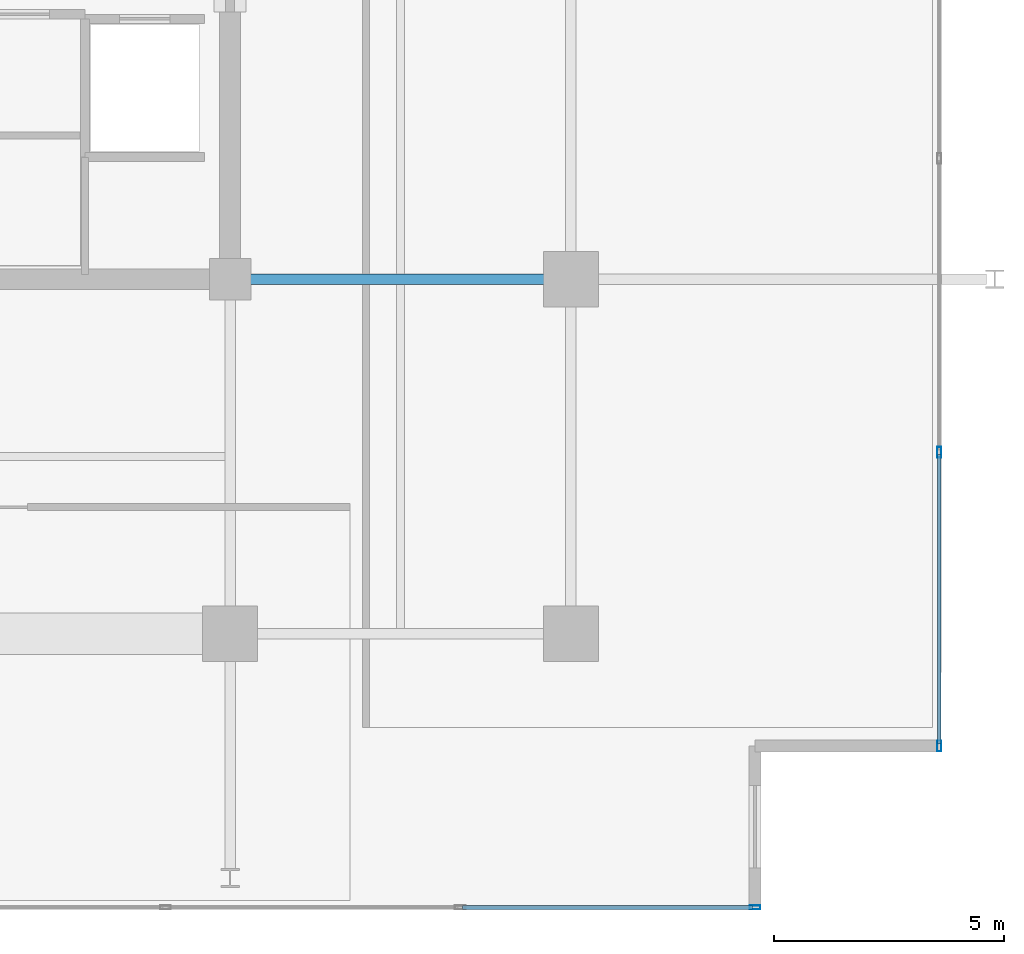
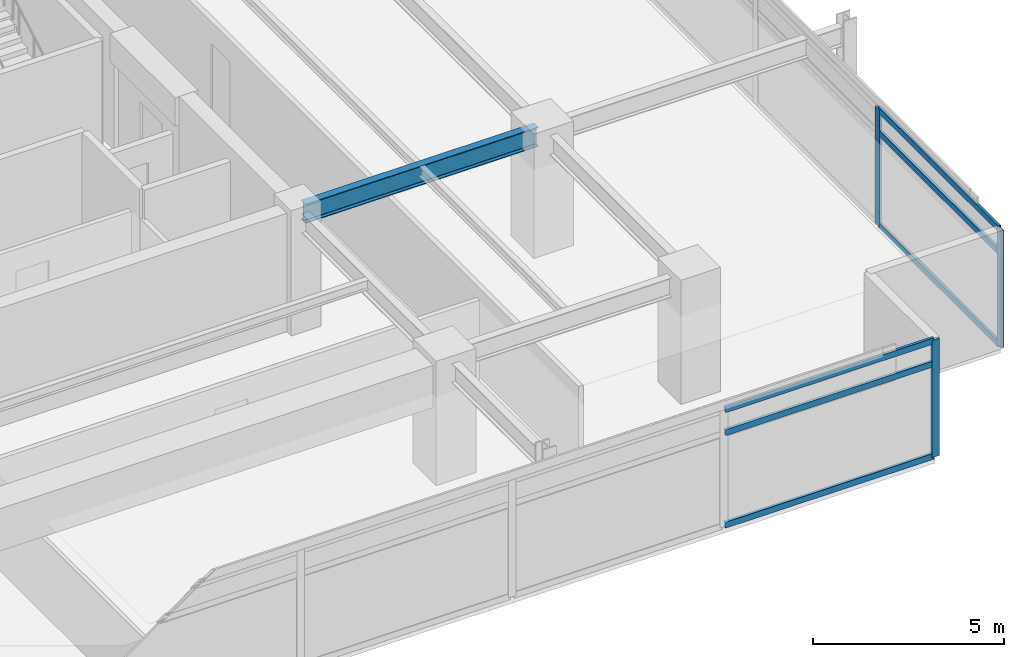
# One storey, part 7 of 18: 9 members, 1 beam, 2 elements without a shape of their own.
"""IFC4 building model written with IfcOpenShell, lengths in metres."""

import ifcopenshell
import ifcopenshell.guid

model = None  # the IFC model being written
_history = None  # IfcOwnerHistory: only IFC2X3 demands one
_inside = {}  # id of a spatial element -> (the spatial element, [elements in it])
_under = {}  # id of a project, library or spatial element -> (it, [spatial elements below it])
_declared = {}  # id of a project -> (the project, [libraries it declares])
_typed = {}  # id of a type object -> (the type object, [elements of that type])
_made_of = {}  # id of a material, layer set ... -> (it, [elements and type objects made of it])


def new_model(schema):
    """Start an empty IFC model of exactly this schema.

    Asked for "IFC4X3", IfcOpenShell would pick the latest addendum, in which some entities
    have other attributes; the version numbers below select the first issue.
    IFC2X3 requires an IfcOwnerHistory on every rooted entity: one is made here for all.
    """
    global model, _history
    if schema == "IFC4X3":
        model = ifcopenshell.file(schema_version=(4, 3, 0, 0))
    else:
        model = ifcopenshell.file(schema=schema)
    _inside.clear()
    _under.clear()
    _declared.clear()
    _typed.clear()
    _made_of.clear()
    _history = None
    if model.schema == "IFC2X3":
        org = make("IfcOrganization", Name="unknown")
        user = make(
            "IfcPersonAndOrganization",
            ThePerson=make("IfcPerson", FamilyName="unknown"),
            TheOrganization=org,
        )
        app = make(
            "IfcApplication",
            ApplicationDeveloper=org,
            Version="unknown",
            ApplicationFullName="unknown",
            ApplicationIdentifier="unknown",
        )
        _history = make(
            "IfcOwnerHistory",
            OwningUser=user,
            OwningApplication=app,
            ChangeAction="ADDED",
            CreationDate=0,
        )
    return model


def make(cls, **values):
    """One entity of the class cls with the attributes given. An attribute that is None is left unset."""
    return model.create_entity(
        cls, **{name: value for name, value in values.items() if value is not None}
    )


def rooted(cls, **values):
    """An entity with a GlobalId (a new one), such as an element, a storey or a relation."""
    return make(cls, GlobalId=ifcopenshell.guid.new(), OwnerHistory=_history, **values)


def si_unit(unit_type, name, prefix=None):
    """IfcSIUnit, for example si_unit("LENGTHUNIT", "METRE", prefix="MILLI")."""
    return make("IfcSIUnit", UnitType=unit_type, Prefix=prefix, Name=name)


def assignment(units):
    """IfcUnitAssignment: the units of a project."""
    return None if units is None else make("IfcUnitAssignment", Units=units)


def point(xyz):
    """IfcCartesianPoint."""
    return None if xyz is None else make("IfcCartesianPoint", Coordinates=xyz)


def direction(xyz):
    """IfcDirection."""
    return None if xyz is None else make("IfcDirection", DirectionRatios=xyz)


def frame(location, z_axis=None, x_axis=None):
    """IfcAxis2Placement3D, a coordinate frame: its origin and axes. An axis left out is left unset."""
    return make(
        "IfcAxis2Placement3D",
        Location=point(location),
        Axis=direction(z_axis),
        RefDirection=direction(x_axis),
    )


def frame_2d(location, x_axis=None):
    """IfcAxis2Placement2D, a coordinate frame in the plane: its origin and x axis."""
    return make(
        "IfcAxis2Placement2D", Location=point(location), RefDirection=direction(x_axis)
    )


def origin():
    """The frame at (0, 0, 0) with its axes left unset."""
    return frame((0.0, 0.0, 0.0))


def origin_2d():
    """The frame at (0, 0) in the plane with its x axis left unset."""
    return frame_2d((0.0, 0.0))


def place(relative_to, where):
    """IfcLocalPlacement: puts the frame where relative to a parent placement (None: the world)."""
    return make(
        "IfcLocalPlacement", PlacementRelTo=relative_to, RelativePlacement=where
    )


def context(
    kind, dimensions, precision=None, world=None, true_north=None, identifier=None
):
    """IfcGeometricRepresentationContext, for example the 3D "Model" context."""
    return make(
        "IfcGeometricRepresentationContext",
        ContextIdentifier=identifier,
        ContextType=kind,
        CoordinateSpaceDimension=dimensions,
        Precision=precision,
        WorldCoordinateSystem=world,
        TrueNorth=true_north,
    )


def subcontext(parent, identifier, kind, view, scale=None):
    """IfcGeometricRepresentationSubContext, for example "Body" below "Model"."""
    return make(
        "IfcGeometricRepresentationSubContext",
        ContextIdentifier=identifier,
        ContextType=kind,
        ParentContext=parent,
        TargetScale=scale,
        TargetView=view,
    )


def project(units=None, contexts=None):
    """IfcProject with its units and contexts."""
    return rooted(
        "IfcProject",
        Name="project",
        RepresentationContexts=contexts,
        UnitsInContext=assignment(units),
    )


def spatial(cls, under=None, at=None, **own):
    """A site, building, storey or space (cls), placed at a placement, below another one or the project."""
    s = rooted(cls, ObjectPlacement=at, **own)
    if under is not None:
        _under.setdefault(under.id(), (under, []))[1].append(s)
    return s


def profile(cls, at=None, kind="AREA", **sizes):
    """A parametric profile (cls). Its sizes go by their IFC names, for example OverallWidth=200.0."""
    return make(cls, ProfileType=kind, Position=at, **sizes)


def hollow_rectangle(**sizes):
    """IfcRectangleHollowProfileDef."""
    return profile("IfcRectangleHollowProfileDef", **sizes)


def i_section(**sizes):
    """IfcIShapeProfileDef."""
    return profile("IfcIShapeProfileDef", **sizes)


def extrude(swept, where, along, depth):
    """IfcExtrudedAreaSolid: the profile swept, set in the frame where, extruded along a direction by depth."""
    return make(
        "IfcExtrudedAreaSolid",
        SweptArea=swept,
        Position=where,
        ExtrudedDirection=direction(along),
        Depth=depth,
    )


def shape(context_of_items, identifier, shape_type, items):
    """IfcShapeRepresentation: the items that make up one representation, for example the "Body"."""
    return make(
        "IfcShapeRepresentation",
        ContextOfItems=context_of_items,
        RepresentationIdentifier=identifier,
        RepresentationType=shape_type,
        Items=items,
    )


def material(Name=None, Category=None):
    """IfcMaterial."""
    return make("IfcMaterial", Name=Name, Category=Category)


def material_profile(
    of_material, cross_section, Name=None, Category=None, Priority=None
):
    """IfcMaterialProfile: a cross section and its material."""
    return make(
        "IfcMaterialProfile",
        Name=Name,
        Material=of_material,
        Profile=cross_section,
        Priority=Priority,
        Category=Category,
    )


def profile_set(profiles, Name=None, composite=None):
    """IfcMaterialProfileSet."""
    return make(
        "IfcMaterialProfileSet",
        Name=Name,
        MaterialProfiles=profiles,
        CompositeProfile=composite,
    )


def made_of(thing, what):
    """Note that an element or type object is made of a material, layer set ...; save() writes the relation."""
    if what is not None:
        _made_of.setdefault(what.id(), (what, []))[1].append(thing)
    return thing


def type_object(cls, material=None, **own):
    """A type object (cls), such as IfcWallType, which elements share."""
    return made_of(rooted(cls, **own), material)


def element(
    cls,
    number,
    at=None,
    inside=None,
    cuts=None,
    type_object=None,
    material=None,
    context=None,
    identifier="Body",
    shape_type=None,
    held_by="IfcProductDefinitionShape",
    body=None,
    shapes=None,
    **own,
):
    """One element of the class cls, such as IfcWall. Its Tag is "e" and its number.

    at: its placement. inside: the storey or other place that contains it. cuts: it is an
    opening in that element (IfcRelVoidsElement). A single representation is given by context,
    identifier, shape_type and body (its items); several are given by shapes. held_by: the class
    of the entity that holds the representations. save() writes the other relations.
    """
    e = rooted(cls, Tag="e%d" % number, ObjectPlacement=at, **own)
    if body is not None:
        shapes = [shape(context, identifier, shape_type, body)]
    if shapes is not None:
        e.Representation = make(held_by, Representations=shapes)
    if inside is not None:
        _inside.setdefault(inside.id(), (inside, []))[1].append(e)
    if cuts is not None:
        rooted(
            "IfcRelVoidsElement", RelatingBuildingElement=cuts, RelatedOpeningElement=e
        )
    if type_object is not None:
        _typed.setdefault(type_object.id(), (type_object, []))[1].append(e)
    return made_of(e, material)


def aggregate(whole, parts):
    """IfcRelAggregates: a whole, such as a stair, and the parts it consists of."""
    return rooted("IfcRelAggregates", RelatingObject=whole, RelatedObjects=parts)


def save(model, path):
    """Write the relations noted so far, then the file.

    IfcRelAggregates (storeys below a building ...), IfcRelContainedInSpatialStructure (elements
    in a storey), IfcRelDefinesByType, IfcRelAssociatesMaterial and IfcRelDeclares: one each for
    every whole, place, type object, material and project.
    """
    for whole, parts in _under.values():
        aggregate(whole, parts)
    for where, things in _inside.values():
        rooted(
            "IfcRelContainedInSpatialStructure",
            RelatedElements=things,
            RelatingStructure=where,
        )
    for kind, things in _typed.values():
        rooted("IfcRelDefinesByType", RelatedObjects=things, RelatingType=kind)
    for what, things in _made_of.values():
        rooted("IfcRelAssociatesMaterial", RelatedObjects=things, RelatingMaterial=what)
    for by, libraries in _declared.values():
        rooted("IfcRelDeclares", RelatingContext=by, RelatedDefinitions=libraries)
    model.write(path)


model = new_model("IFC4")

# Units and contexts
model_context = context("Model", 3, precision=1e-05, world=origin(), true_north=direction((0.0, 1.0)))
body_context = subcontext(model_context, "Body", "Model", "MODEL_VIEW")
ifc_project = project(units=[si_unit("LENGTHUNIT", "METRE"), si_unit("AREAUNIT", "SQUARE_METRE"), si_unit("VOLUMEUNIT", "CUBIC_METRE"), si_unit("PLANEANGLEUNIT", "RADIAN"), si_unit("MASSUNIT", "GRAM", prefix="KILO")], contexts=[model_context])

# Site, building, storey
site_placement = place(None, origin())
site = spatial("IfcSite", under=ifc_project, at=site_placement, CompositionType="ELEMENT")
building_placement = place(site_placement, origin())
building = spatial("IfcBuilding", under=site, at=building_placement, Name="Kovane Verandah Tower", CompositionType="ELEMENT")
storey_placement = place(building_placement, frame((0.0, 0.0, 251.199951171875)))
storey = spatial("IfcBuildingStorey", under=building, at=storey_placement, Name="L58", CompositionType="ELEMENT", Elevation=251.199951171875)

# Beam
ifc_material_1 = material(Name="Steel S355", Category="steel")
ifc_material_profile_1 = material_profile(ifc_material_1, i_section(OverallWidth=0.230224609375, OverallDepth=0.6171875, WebThickness=0.01318359375, FlangeThickness=0.022216796875, FilletRadius=0.0126953125, at=origin_2d()), Name="UB610x229x140")
ifc_profile_set_1 = profile_set([ifc_material_profile_1], Name="Steel S355")
beam_type = type_object("IfcBeamType", Name="BM-UB610x140", PredefinedType="BEAM", material=ifc_profile_set_1)
beam_placement = place(storey_placement, frame((51.179931640625, 18.5, 3.4765625), z_axis=(1.0, 0.0, 0.0), x_axis=(0.0, 1.0, 0.0)))
element("IfcBeam", 1, at=beam_placement, inside=storey, type_object=beam_type, Name="L58 Primary Tower Girder G-E1", PredefinedType="BEAM", context=body_context, shape_type="SweptSolid", body=[
    extrude(i_section(OverallWidth=0.230224609375, OverallDepth=0.6171875, WebThickness=0.01318359375, FlangeThickness=0.022216796875, FilletRadius=0.0126953125, at=origin_2d()), origin(), (0.0, 0.0, 1.0), 7.0400390625),
])

# Curtain wall, member
ifc_material_2 = material(Name="Champagne Anodised Aluminium Frame with Low-E Clear Laminated Glass", Category="aluminium")
curtain_wall_type = type_object("IfcCurtainWallType", Name="CW-SYS-05-HIGH", PredefinedType="NOTDEFINED", material=ifc_material_2)
curtain_wall_1_placement = place(storey_placement, origin())
curtain_wall_1 = element("IfcCurtainWall", 2, at=curtain_wall_1_placement, inside=storey, type_object=curtain_wall_type, Name="L58 S Unitised Curtain Wall", PredefinedType="NOTDEFINED")
ifc_material_3 = material(Name="Champagne Anodised Aluminium 6063-T6", Category="aluminium")
ifc_material_profile_2 = material_profile(ifc_material_3, hollow_rectangle(XDim=0.0849609375, YDim=0.22998046875, WallThickness=0.00390625, at=origin_2d()), Name="AL85x230x4")
ifc_profile_set_2 = profile_set([ifc_material_profile_2], Name="Champagne Anodised Aluminium 6063-T6")
member_type_1 = type_object("IfcMemberType", Name="CW-MUL-85x230", PredefinedType="MULLION", material=ifc_profile_set_2)
member_1_placement = place(storey_placement, frame((62.396240234375, 4.8623046875, 0.02001953125), z_axis=(0.0, 0.0, 1.0), x_axis=(0.0, -1.0, 0.0)))
member_1 = element("IfcMember", 3, at=member_1_placement, type_object=member_type_1, Name="L58 S Unitised Curtain Wall Mullion 8", PredefinedType="MULLION", context=body_context, shape_type="SweptSolid", body=[
    extrude(hollow_rectangle(XDim=0.0849609375, YDim=0.22998046875, WallThickness=0.00390625, at=origin_2d()), origin(), (0.0, 0.0, 1.0), 3.7451171875),
])

# Curtain wall, members
curtain_wall_2_placement = place(storey_placement, origin())
curtain_wall_2 = element("IfcCurtainWall", 4, at=curtain_wall_2_placement, inside=storey, type_object=curtain_wall_type, Name="L58 E Unitised Curtain Wall", PredefinedType="NOTDEFINED")
member_2_placement = place(storey_placement, frame((66.396240234375, 8.3623046875, 0.02001953125), z_axis=(0.0, 0.0, 1.0), x_axis=(1.0, 0.0, 0.0)))
member_2 = element("IfcMember", 5, at=member_2_placement, type_object=member_type_1, Name="L58 E Unitised Curtain Wall Mullion 1", PredefinedType="MULLION", context=body_context, shape_type="SweptSolid", body=[
    extrude(hollow_rectangle(XDim=0.0849609375, YDim=0.22998046875, WallThickness=0.00390625, at=origin_2d()), origin(), (0.0, 0.0, 1.0), 3.7451171875),
])
member_3_placement = place(storey_placement, frame((66.396240234375, 14.74169921875, 0.02001953125), z_axis=(0.0, 0.0, 1.0), x_axis=(1.0, 0.0, 0.0)))
member_3 = element("IfcMember", 6, at=member_3_placement, type_object=member_type_1, Name="L58 E Unitised Curtain Wall Mullion 2", PredefinedType="MULLION", context=body_context, shape_type="SweptSolid", body=[
    extrude(hollow_rectangle(XDim=0.0849609375, YDim=0.22998046875, WallThickness=0.00390625, at=origin_2d()), origin(), (0.0, 0.0, 1.0), 3.7451171875),
])

# Member
ifc_material_profile_3 = material_profile(ifc_material_3, hollow_rectangle(XDim=0.0849609375, YDim=0.18994140625, WallThickness=0.00390625, at=origin_2d()), Name="AL85x190x4")
ifc_profile_set_3 = profile_set([ifc_material_profile_3], Name="Champagne Anodised Aluminium 6063-T6")
member_type_2 = type_object("IfcMemberType", Name="CW-TRN-85x190", PredefinedType="USERDEFINED", material=ifc_profile_set_3)
member_4_placement = place(storey_placement, frame((56.04736328125, 4.8623046875, 0.050048828125), z_axis=(1.0, 0.0, 0.0), x_axis=(0.0, 1.0, 0.0)))
member_4 = element("IfcMember", 7, at=member_4_placement, type_object=member_type_2, Name="L58 S Unitised Curtain Wall Transom TB Bay 7", ObjectType="TRANSOM", PredefinedType="USERDEFINED", context=body_context, shape_type="SweptSolid", body=[
    extrude(hollow_rectangle(XDim=0.0849609375, YDim=0.18994140625, WallThickness=0.00390625, at=origin_2d()), origin(), (0.0, 0.0, 1.0), 6.298828125),
])

member_5_placement = place(storey_placement, frame((56.04736328125, 4.8623046875, 3.005126953125), z_axis=(1.0, 0.0, 0.0), x_axis=(0.0, 1.0, 0.0)))
member_5 = element("IfcMember", 8, at=member_5_placement, type_object=member_type_2, Name="L58 S Unitised Curtain Wall Transom TM Bay 7", ObjectType="TRANSOM", PredefinedType="USERDEFINED", context=body_context, shape_type="SweptSolid", body=[
    extrude(hollow_rectangle(XDim=0.0849609375, YDim=0.18994140625, WallThickness=0.00390625, at=origin_2d()), origin(), (0.0, 0.0, 1.0), 6.298828125),
])

member_6_placement = place(storey_placement, frame((56.04736328125, 4.8623046875, 3.735107421875), z_axis=(1.0, 0.0, 0.0), x_axis=(0.0, 1.0, 0.0)))
member_6 = element("IfcMember", 9, at=member_6_placement, type_object=member_type_2, Name="L58 S Unitised Curtain Wall Transom TT Bay 7", ObjectType="TRANSOM", PredefinedType="USERDEFINED", context=body_context, shape_type="SweptSolid", body=[
    extrude(hollow_rectangle(XDim=0.0849609375, YDim=0.18994140625, WallThickness=0.00390625, at=origin_2d()), origin(), (0.0, 0.0, 1.0), 6.298828125),
])

aggregate(curtain_wall_1, [member_1, member_4, member_5, member_6])

member_7_placement = place(storey_placement, frame((66.396240234375, 8.412353515625, 0.050048828125), z_axis=(0.0, 1.0, 0.0), x_axis=(-1.0, 0.0, 0.0)))
member_7 = element("IfcMember", 10, at=member_7_placement, type_object=member_type_2, Name="L58 E Unitised Curtain Wall Transom TB Bay 1", ObjectType="TRANSOM", PredefinedType="USERDEFINED", context=body_context, shape_type="SweptSolid", body=[
    extrude(hollow_rectangle(XDim=0.0849609375, YDim=0.18994140625, WallThickness=0.00390625, at=origin_2d()), origin(), (0.0, 0.0, 1.0), 6.279296875),
])

member_8_placement = place(storey_placement, frame((66.396240234375, 8.412353515625, 3.005126953125), z_axis=(0.0, 1.0, 0.0), x_axis=(-1.0, 0.0, 0.0)))
member_8 = element("IfcMember", 11, at=member_8_placement, type_object=member_type_2, Name="L58 E Unitised Curtain Wall Transom TM Bay 1", ObjectType="TRANSOM", PredefinedType="USERDEFINED", context=body_context, shape_type="SweptSolid", body=[
    extrude(hollow_rectangle(XDim=0.0849609375, YDim=0.18994140625, WallThickness=0.00390625, at=origin_2d()), origin(), (0.0, 0.0, 1.0), 6.279296875),
])

member_9_placement = place(storey_placement, frame((66.396240234375, 8.412353515625, 3.735107421875), z_axis=(0.0, 1.0, 0.0), x_axis=(-1.0, 0.0, 0.0)))
member_9 = element("IfcMember", 12, at=member_9_placement, type_object=member_type_2, Name="L58 E Unitised Curtain Wall Transom TT Bay 1", ObjectType="TRANSOM", PredefinedType="USERDEFINED", context=body_context, shape_type="SweptSolid", body=[
    extrude(hollow_rectangle(XDim=0.0849609375, YDim=0.18994140625, WallThickness=0.00390625, at=origin_2d()), origin(), (0.0, 0.0, 1.0), 6.279296875),
])

aggregate(curtain_wall_2, [member_2, member_3, member_7, member_8, member_9])

save(model, "model.ifc")
